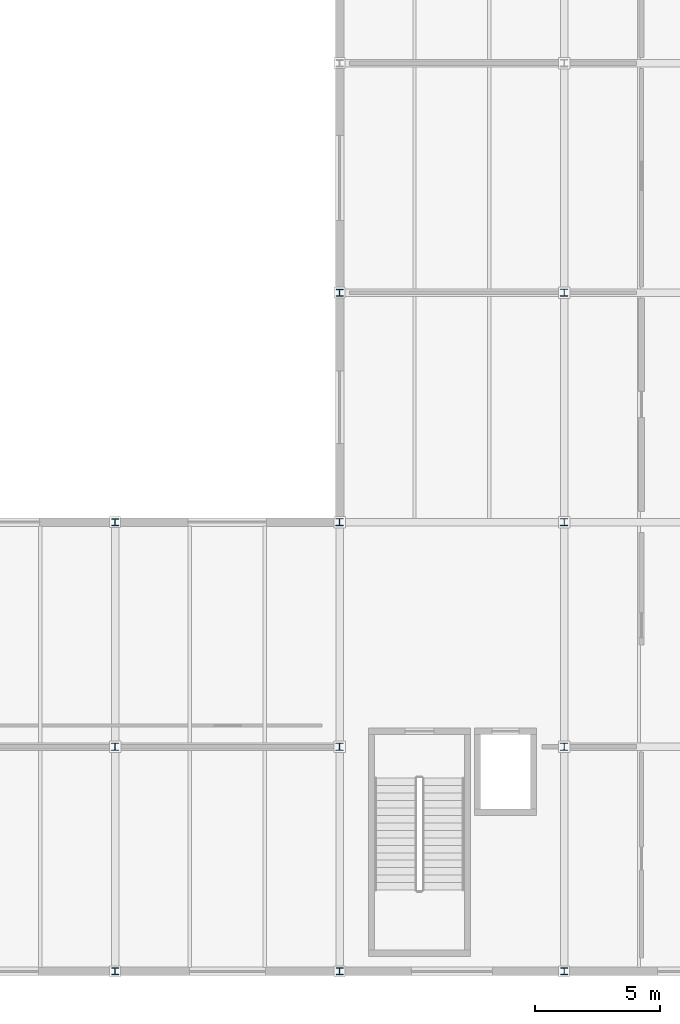
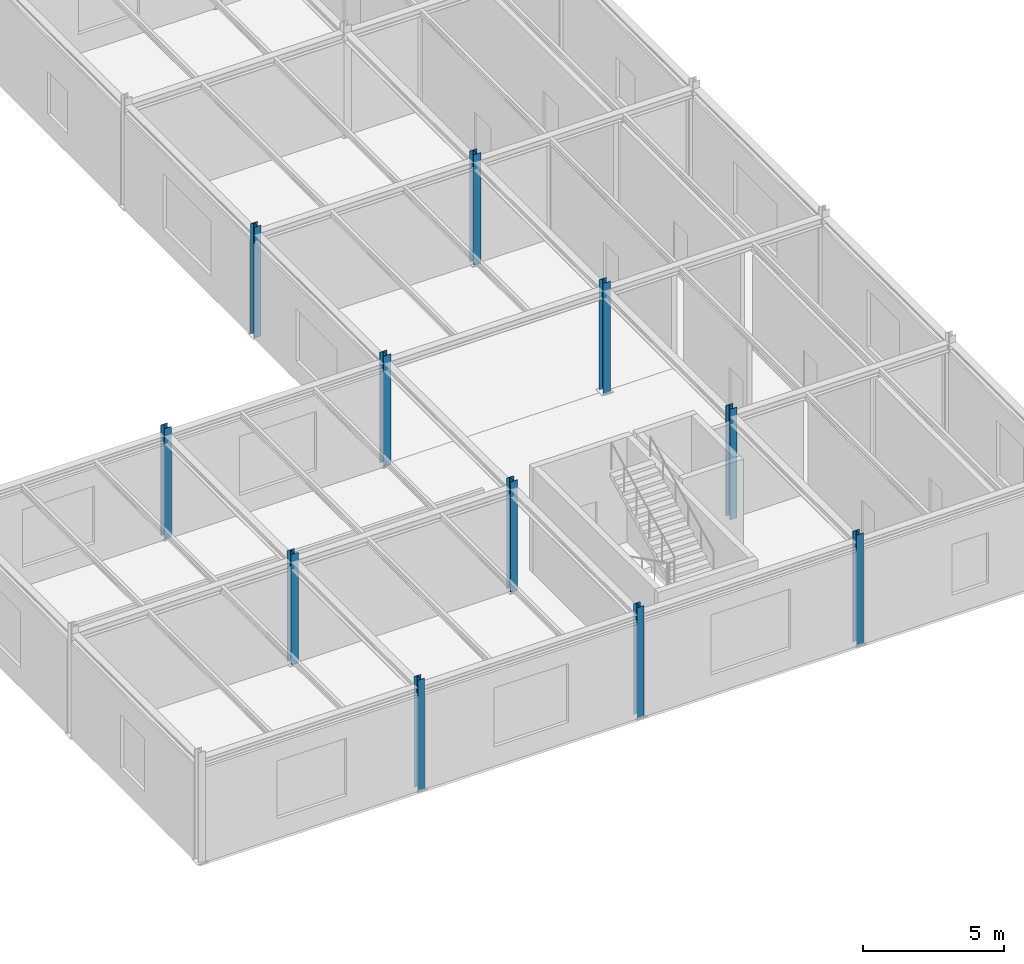
# One storey, part 7 of 61: 11 columns.
"""IFC4 building model written with IfcOpenShell, lengths in metres."""

from ifc_helpers import new_model, si_unit, direction, frame, origin, origin_2d, place, context, subcontext, project, spatial, i_section, extrude, material, material_profile, profile_set, type_object, element, save


model = new_model("IFC4")

# Units and contexts
model_context = context("Model", 3, precision=1e-05, world=origin(), true_north=direction((0.0, 1.0)))
body_context = subcontext(model_context, "Body", "Model", "MODEL_VIEW")
ifc_project = project(units=[si_unit("LENGTHUNIT", "METRE"), si_unit("AREAUNIT", "SQUARE_METRE"), si_unit("VOLUMEUNIT", "CUBIC_METRE"), si_unit("PLANEANGLEUNIT", "RADIAN"), si_unit("MASSUNIT", "GRAM", prefix="KILO")], contexts=[model_context])

# Site, building, storey
site_placement = place(None, origin())
site = spatial("IfcSite", under=ifc_project, at=site_placement, CompositionType="ELEMENT")
building_placement = place(site_placement, origin())
building = spatial("IfcBuilding", under=site, at=building_placement, Name="Bozkorgan Art Gallery", CompositionType="ELEMENT")
storey_placement = place(building_placement, frame((0.0, 0.0, 10.199951171875)))
storey = spatial("IfcBuildingStorey", under=building, at=storey_placement, Name="L02", CompositionType="ELEMENT", Elevation=10.199951171875)

# Columns
ifc_material = material(Name="Steel S355J2", Category="steel")
ifc_material_profile_1 = material_profile(ifc_material, i_section(OverallWidth=0.300048828125, OverallDepth=0.2900390625, WebThickness=0.008544921875, FlangeThickness=0.013916015625, FilletRadius=0.027099609375, at=origin_2d()), Name="HEA 300")
ifc_profile_set_1 = profile_set([ifc_material_profile_1], Name="Steel S355J2")
column_type_1 = type_object("IfcColumnType", Name="COLUMN-C-06", PredefinedType="COLUMN", material=ifc_profile_set_1)
for number, where, z_axis, x_axis, name in (
    (1, (137.0, 11.0, 0.0), (0.0, 0.0, 1.0), (1.0, 0.0, 0.0), "V6 L02 column (137.0, 11.0)"),
    (2, (146.0, 11.0, 0.0), (0.0, 0.0, 1.0), (1.0, 0.0, 0.0), "V6 L02 column (146.0, 11.0)"),
    (3, (146.0, 20.0, 0.0), (0.0, 0.0, 1.0), (1.0, 0.0, 0.0), "V6 L02 column (146.0, 20.0)"),
    (4, (155.0, 11.0, 0.0), (0.0, 0.0, 1.0), (1.0, 0.0, 0.0), "V6 L02 column (155.0, 11.0)"),
    (5, (155.0, 20.0, 0.0), (0.0, 0.0, 1.0), (1.0, 0.0, 0.0), "V6 L02 column (155.0, 20.0)"),
    (6, (155.0, 29.199951171875, 0.0), (0.0, 0.0, 1.0), (1.0, 0.0, 0.0), "V6 L02 column (155.0, 29.2)"),
):
    element("IfcColumn", number, at=place(storey_placement, frame(where, z_axis=z_axis, x_axis=x_axis)), inside=storey, type_object=column_type_1, Name=name, PredefinedType="COLUMN", context=body_context, shape_type="SweptSolid", body=[
        extrude(i_section(OverallWidth=0.300048828125, OverallDepth=0.2900390625, WebThickness=0.008544921875, FlangeThickness=0.013916015625, FilletRadius=0.027099609375, at=origin_2d()), origin(), (0.0, 0.0, 1.0), 4.800048828125),
    ])
ifc_material_profile_2 = material_profile(ifc_material, i_section(OverallWidth=0.280029296875, OverallDepth=0.280029296875, WebThickness=0.010498046875, FlangeThickness=0.01806640625, FilletRadius=0.02392578125, at=origin_2d()), Name="HEB 280")
ifc_profile_set_2 = profile_set([ifc_material_profile_2], Name="Steel S355J2")
column_type_2 = type_object("IfcColumnType", Name="COLUMN-C-66", PredefinedType="COLUMN", material=ifc_profile_set_2)
for number, where, z_axis, x_axis, name in (
    (7, (137.0, 2.0, 0.0), (0.0, 0.0, 1.0), (1.0, 0.0, 0.0), "V6 L02 column (137.0, 2.0)"),
    (8, (137.0, 20.0, 0.0), (0.0, 0.0, 1.0), (1.0, 0.0, 0.0), "V6 L02 column (137.0, 20.0)"),
    (9, (146.0, 2.0, 0.0), (0.0, 0.0, 1.0), (1.0, 0.0, 0.0), "V6 L02 column (146.0, 2.0)"),
    (10, (146.0, 29.199951171875, 0.0), (0.0, 0.0, 1.0), (1.0, 0.0, 0.0), "V6 L02 column (146.0, 29.2)"),
    (11, (155.0, 2.0, 0.0), (0.0, 0.0, 1.0), (1.0, 0.0, 0.0), "V6 L02 column (155.0, 2.0)"),
):
    element("IfcColumn", number, at=place(storey_placement, frame(where, z_axis=z_axis, x_axis=x_axis)), inside=storey, type_object=column_type_2, Name=name, PredefinedType="COLUMN", context=body_context, shape_type="SweptSolid", body=[
        extrude(i_section(OverallWidth=0.280029296875, OverallDepth=0.280029296875, WebThickness=0.010498046875, FlangeThickness=0.01806640625, FilletRadius=0.02392578125, at=origin_2d()), origin(), (0.0, 0.0, 1.0), 4.800048828125),
    ])

save(model, "model.ifc")
